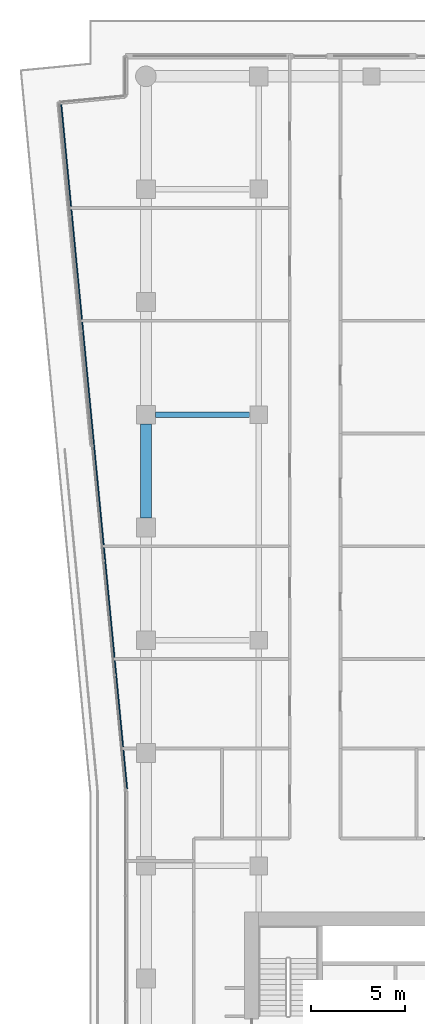
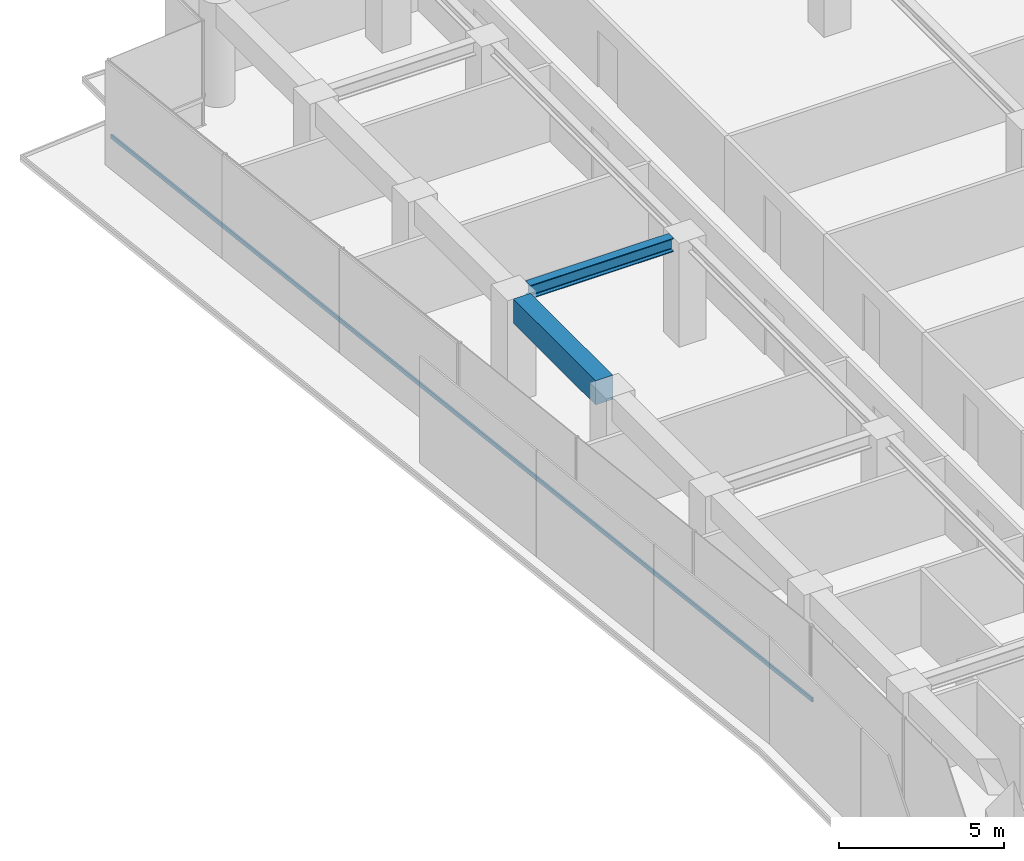
# One storey, part 13 of 28: 2 beams, 1 member, 1 element without a shape of its own.
"""IFC4 building model written with IfcOpenShell, lengths in metres."""

from ifc_helpers import new_model, si_unit, direction, frame, origin, origin_2d, place, context, subcontext, project, spatial, rectangle, i_section, extrude, material, layer, layer_set, material_profile, profile_set, type_object, element, aggregate, save


model = new_model("IFC4")

# Units and contexts
model_context = context("Model", 3, precision=1e-05, world=origin(), true_north=direction((0.0, 1.0)))
body_context = subcontext(model_context, "Body", "Model", "MODEL_VIEW")
ifc_project = project(units=[si_unit("LENGTHUNIT", "METRE"), si_unit("AREAUNIT", "SQUARE_METRE"), si_unit("VOLUMEUNIT", "CUBIC_METRE"), si_unit("PLANEANGLEUNIT", "RADIAN"), si_unit("MASSUNIT", "GRAM", prefix="KILO")], contexts=[model_context])

# Site, building, storey
site_placement = place(None, origin())
site = spatial("IfcSite", under=ifc_project, at=site_placement, CompositionType="ELEMENT")
building_placement = place(site_placement, origin())
building = spatial("IfcBuilding", under=site, at=building_placement, Name="Welwitschia Terrace Campus", CompositionType="ELEMENT")
storey_placement = place(building_placement, frame((0.0, 0.0, 87.800048828125)))
storey = spatial("IfcBuildingStorey", under=building, at=storey_placement, Name="L19", CompositionType="ELEMENT", Elevation=87.800048828125)

# Beams
ifc_material_1 = material(Name="Steel S355", Category="steel")
ifc_material_profile_1 = material_profile(ifc_material_1, i_section(OverallWidth=0.300048828125, OverallDepth=0.5, WebThickness=0.014404296875, FlangeThickness=0.028076171875, FilletRadius=0.027099609375, at=origin_2d()))
ifc_profile_set_1 = profile_set([ifc_material_profile_1], Name="Steel S355")
beam_type_1 = type_object("IfcBeamType", Name="Primary beam HE 500 B", PredefinedType="BEAM", material=ifc_profile_set_1)
beam_1_placement = place(storey_placement, frame((0.50048828125, 52.0, 3.599853515625), z_axis=(1.0, 0.0, 0.0), x_axis=(0.0, 1.0, 0.0)))
element("IfcBeam", 1, at=beam_1_placement, inside=storey, type_object=beam_type_1, Name="Primary beam PB3", PredefinedType="BEAM", context=body_context, shape_type="SweptSolid", body=[
    extrude(i_section(OverallWidth=0.300048828125, OverallDepth=0.5, WebThickness=0.014404296875, FlangeThickness=0.028076171875, FilletRadius=0.027099609375, at=origin_2d()), origin(), (0.0, 0.0, 1.0), 5.02392578125),
])
ifc_material_2 = material(Name="Concrete C60/75", Category="concrete")
ifc_material_profile_2 = material_profile(ifc_material_2, rectangle(XDim=0.60009765625, YDim=0.89990234375, at=origin_2d()))
ifc_profile_set_2 = profile_set([ifc_material_profile_2], Name="Concrete C60/75")
beam_type_2 = type_object("IfcBeamType", Name="Ring spandrel 600x900", PredefinedType="SPANDREL", material=ifc_profile_set_2)
beam_2_placement = place(storey_placement, frame((0.0, 51.49951171875, 3.39990234375), z_axis=(0.0, -1.0, 0.0), x_axis=(1.0, 0.0, 0.0)))
element("IfcBeam", 2, at=beam_2_placement, inside=storey, type_object=beam_type_2, Name="Spandrel SP2", PredefinedType="SPANDREL", context=body_context, shape_type="SweptSolid", body=[
    extrude(rectangle(XDim=0.60009765625, YDim=0.89990234375, at=origin_2d()), origin(), (0.0, 0.0, 1.0), 4.9990234375),
])

# Curtain wall, member
ifc_material_3 = material(Name="Bronze anodised aluminium", Category="aluminium")
ifc_layer = layer(ifc_material_3, 0.1201171875)
ifc_layer_set = layer_set([ifc_layer], Name="Bronze anodised aluminium")
curtain_wall_type = type_object("IfcCurtainWallType", Name="Curtain wall CW2 tower 6000", PredefinedType="NOTDEFINED", material=ifc_layer_set)
curtain_wall_placement = place(storey_placement, origin())
curtain_wall = element("IfcCurtainWall", 3, at=curtain_wall_placement, inside=storey, type_object=curtain_wall_type, Name="CW L19.0.0", PredefinedType="NOTDEFINED")
ifc_material_4 = material(Name="Bronze anodised aluminium", Category="aluminium")
ifc_material_profile_3 = material_profile(ifc_material_4, rectangle(XDim=0.06005859375, YDim=0.14990234375, at=origin_2d()))
ifc_profile_set_3 = profile_set([ifc_material_profile_3], Name="Bronze anodised aluminium")
member_type = type_object("IfcMemberType", Name="Transom 60x150", PredefinedType="USERDEFINED", material=ifc_profile_set_3)
member_placement = place(storey_placement, frame((-4.514404296875, 68.58251953125, 1.0), z_axis=(0.095845957443, -0.995396178635, 0.0), x_axis=(0.995396178635, 0.095845957443, 0.0)))
member = element("IfcMember", 4, at=member_placement, type_object=member_type, Name="Transom L19.0.0", ObjectType="TRANSOM", PredefinedType="USERDEFINED", context=body_context, shape_type="SweptSolid", body=[
    extrude(rectangle(XDim=0.06005859375, YDim=0.14990234375, at=origin_2d()), origin(), (0.0, 0.0, 1.0), 36.644287109375),
])
aggregate(curtain_wall, [member])

save(model, "model.ifc")
